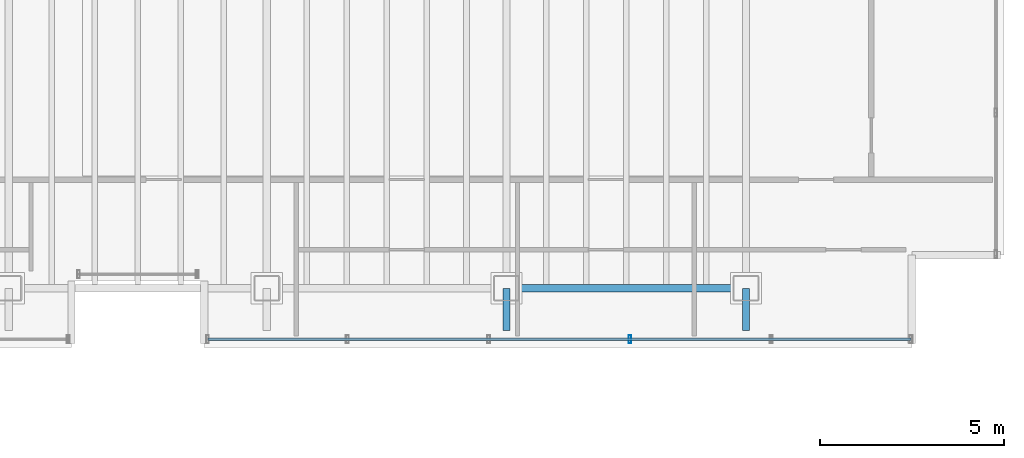
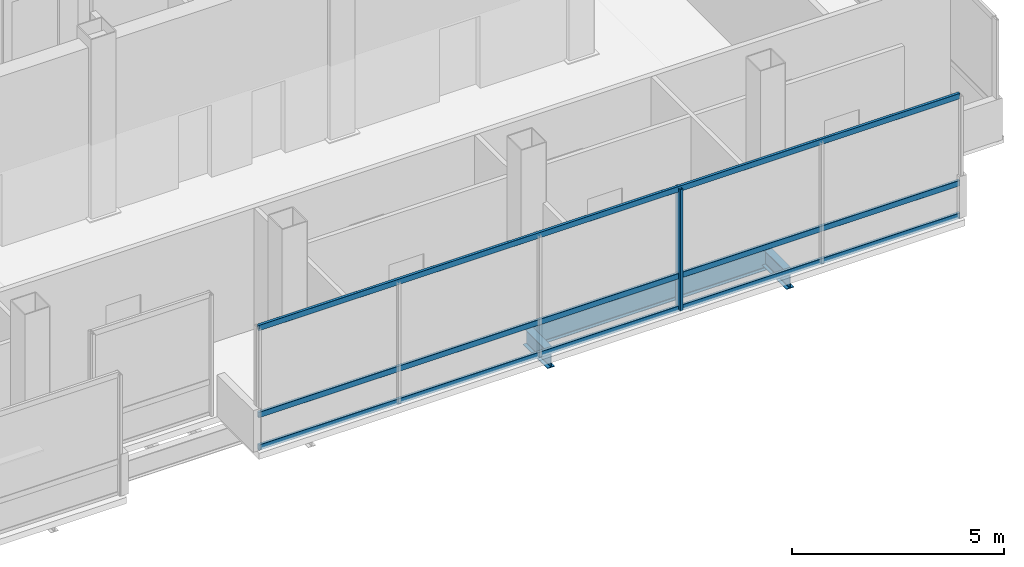
# One storey, part 7 of 17: 4 members, 3 beams, 1 element without a shape of its own.
"""IFC4 building model written with IfcOpenShell, lengths in metres."""

import ifcopenshell
import ifcopenshell.guid

model = None  # the IFC model being written
_history = None  # IfcOwnerHistory: only IFC2X3 demands one
_inside = {}  # id of a spatial element -> (the spatial element, [elements in it])
_under = {}  # id of a project, library or spatial element -> (it, [spatial elements below it])
_declared = {}  # id of a project -> (the project, [libraries it declares])
_typed = {}  # id of a type object -> (the type object, [elements of that type])
_made_of = {}  # id of a material, layer set ... -> (it, [elements and type objects made of it])


def new_model(schema):
    """Start an empty IFC model of exactly this schema.

    Asked for "IFC4X3", IfcOpenShell would pick the latest addendum, in which some entities
    have other attributes; the version numbers below select the first issue.
    IFC2X3 requires an IfcOwnerHistory on every rooted entity: one is made here for all.
    """
    global model, _history
    if schema == "IFC4X3":
        model = ifcopenshell.file(schema_version=(4, 3, 0, 0))
    else:
        model = ifcopenshell.file(schema=schema)
    _inside.clear()
    _under.clear()
    _declared.clear()
    _typed.clear()
    _made_of.clear()
    _history = None
    if model.schema == "IFC2X3":
        org = make("IfcOrganization", Name="unknown")
        user = make(
            "IfcPersonAndOrganization",
            ThePerson=make("IfcPerson", FamilyName="unknown"),
            TheOrganization=org,
        )
        app = make(
            "IfcApplication",
            ApplicationDeveloper=org,
            Version="unknown",
            ApplicationFullName="unknown",
            ApplicationIdentifier="unknown",
        )
        _history = make(
            "IfcOwnerHistory",
            OwningUser=user,
            OwningApplication=app,
            ChangeAction="ADDED",
            CreationDate=0,
        )
    return model


def make(cls, **values):
    """One entity of the class cls with the attributes given. An attribute that is None is left unset."""
    return model.create_entity(
        cls, **{name: value for name, value in values.items() if value is not None}
    )


def rooted(cls, **values):
    """An entity with a GlobalId (a new one), such as an element, a storey or a relation."""
    return make(cls, GlobalId=ifcopenshell.guid.new(), OwnerHistory=_history, **values)


def si_unit(unit_type, name, prefix=None):
    """IfcSIUnit, for example si_unit("LENGTHUNIT", "METRE", prefix="MILLI")."""
    return make("IfcSIUnit", UnitType=unit_type, Prefix=prefix, Name=name)


def assignment(units):
    """IfcUnitAssignment: the units of a project."""
    return None if units is None else make("IfcUnitAssignment", Units=units)


def point(xyz):
    """IfcCartesianPoint."""
    return None if xyz is None else make("IfcCartesianPoint", Coordinates=xyz)


def direction(xyz):
    """IfcDirection."""
    return None if xyz is None else make("IfcDirection", DirectionRatios=xyz)


def frame(location, z_axis=None, x_axis=None):
    """IfcAxis2Placement3D, a coordinate frame: its origin and axes. An axis left out is left unset."""
    return make(
        "IfcAxis2Placement3D",
        Location=point(location),
        Axis=direction(z_axis),
        RefDirection=direction(x_axis),
    )


def frame_2d(location, x_axis=None):
    """IfcAxis2Placement2D, a coordinate frame in the plane: its origin and x axis."""
    return make(
        "IfcAxis2Placement2D", Location=point(location), RefDirection=direction(x_axis)
    )


def origin():
    """The frame at (0, 0, 0) with its axes left unset."""
    return frame((0.0, 0.0, 0.0))


def origin_2d():
    """The frame at (0, 0) in the plane with its x axis left unset."""
    return frame_2d((0.0, 0.0))


def place(relative_to, where):
    """IfcLocalPlacement: puts the frame where relative to a parent placement (None: the world)."""
    return make(
        "IfcLocalPlacement", PlacementRelTo=relative_to, RelativePlacement=where
    )


def context(
    kind, dimensions, precision=None, world=None, true_north=None, identifier=None
):
    """IfcGeometricRepresentationContext, for example the 3D "Model" context."""
    return make(
        "IfcGeometricRepresentationContext",
        ContextIdentifier=identifier,
        ContextType=kind,
        CoordinateSpaceDimension=dimensions,
        Precision=precision,
        WorldCoordinateSystem=world,
        TrueNorth=true_north,
    )


def subcontext(parent, identifier, kind, view, scale=None):
    """IfcGeometricRepresentationSubContext, for example "Body" below "Model"."""
    return make(
        "IfcGeometricRepresentationSubContext",
        ContextIdentifier=identifier,
        ContextType=kind,
        ParentContext=parent,
        TargetScale=scale,
        TargetView=view,
    )


def project(units=None, contexts=None):
    """IfcProject with its units and contexts."""
    return rooted(
        "IfcProject",
        Name="project",
        RepresentationContexts=contexts,
        UnitsInContext=assignment(units),
    )


def spatial(cls, under=None, at=None, **own):
    """A site, building, storey or space (cls), placed at a placement, below another one or the project."""
    s = rooted(cls, ObjectPlacement=at, **own)
    if under is not None:
        _under.setdefault(under.id(), (under, []))[1].append(s)
    return s


def profile(cls, at=None, kind="AREA", **sizes):
    """A parametric profile (cls). Its sizes go by their IFC names, for example OverallWidth=200.0."""
    return make(cls, ProfileType=kind, Position=at, **sizes)


def hollow_rectangle(**sizes):
    """IfcRectangleHollowProfileDef."""
    return profile("IfcRectangleHollowProfileDef", **sizes)


def i_section(**sizes):
    """IfcIShapeProfileDef."""
    return profile("IfcIShapeProfileDef", **sizes)


def extrude(swept, where, along, depth):
    """IfcExtrudedAreaSolid: the profile swept, set in the frame where, extruded along a direction by depth."""
    return make(
        "IfcExtrudedAreaSolid",
        SweptArea=swept,
        Position=where,
        ExtrudedDirection=direction(along),
        Depth=depth,
    )


def shape(context_of_items, identifier, shape_type, items):
    """IfcShapeRepresentation: the items that make up one representation, for example the "Body"."""
    return make(
        "IfcShapeRepresentation",
        ContextOfItems=context_of_items,
        RepresentationIdentifier=identifier,
        RepresentationType=shape_type,
        Items=items,
    )


def material(Name=None, Category=None):
    """IfcMaterial."""
    return make("IfcMaterial", Name=Name, Category=Category)


def material_profile(
    of_material, cross_section, Name=None, Category=None, Priority=None
):
    """IfcMaterialProfile: a cross section and its material."""
    return make(
        "IfcMaterialProfile",
        Name=Name,
        Material=of_material,
        Profile=cross_section,
        Priority=Priority,
        Category=Category,
    )


def profile_set(profiles, Name=None, composite=None):
    """IfcMaterialProfileSet."""
    return make(
        "IfcMaterialProfileSet",
        Name=Name,
        MaterialProfiles=profiles,
        CompositeProfile=composite,
    )


def made_of(thing, what):
    """Note that an element or type object is made of a material, layer set ...; save() writes the relation."""
    if what is not None:
        _made_of.setdefault(what.id(), (what, []))[1].append(thing)
    return thing


def type_object(cls, material=None, **own):
    """A type object (cls), such as IfcWallType, which elements share."""
    return made_of(rooted(cls, **own), material)


def element(
    cls,
    number,
    at=None,
    inside=None,
    cuts=None,
    type_object=None,
    material=None,
    context=None,
    identifier="Body",
    shape_type=None,
    held_by="IfcProductDefinitionShape",
    body=None,
    shapes=None,
    **own,
):
    """One element of the class cls, such as IfcWall. Its Tag is "e" and its number.

    at: its placement. inside: the storey or other place that contains it. cuts: it is an
    opening in that element (IfcRelVoidsElement). A single representation is given by context,
    identifier, shape_type and body (its items); several are given by shapes. held_by: the class
    of the entity that holds the representations. save() writes the other relations.
    """
    e = rooted(cls, Tag="e%d" % number, ObjectPlacement=at, **own)
    if body is not None:
        shapes = [shape(context, identifier, shape_type, body)]
    if shapes is not None:
        e.Representation = make(held_by, Representations=shapes)
    if inside is not None:
        _inside.setdefault(inside.id(), (inside, []))[1].append(e)
    if cuts is not None:
        rooted(
            "IfcRelVoidsElement", RelatingBuildingElement=cuts, RelatedOpeningElement=e
        )
    if type_object is not None:
        _typed.setdefault(type_object.id(), (type_object, []))[1].append(e)
    return made_of(e, material)


def aggregate(whole, parts):
    """IfcRelAggregates: a whole, such as a stair, and the parts it consists of."""
    return rooted("IfcRelAggregates", RelatingObject=whole, RelatedObjects=parts)


def save(model, path):
    """Write the relations noted so far, then the file.

    IfcRelAggregates (storeys below a building ...), IfcRelContainedInSpatialStructure (elements
    in a storey), IfcRelDefinesByType, IfcRelAssociatesMaterial and IfcRelDeclares: one each for
    every whole, place, type object, material and project.
    """
    for whole, parts in _under.values():
        aggregate(whole, parts)
    for where, things in _inside.values():
        rooted(
            "IfcRelContainedInSpatialStructure",
            RelatedElements=things,
            RelatingStructure=where,
        )
    for kind, things in _typed.values():
        rooted("IfcRelDefinesByType", RelatedObjects=things, RelatingType=kind)
    for what, things in _made_of.values():
        rooted("IfcRelAssociatesMaterial", RelatedObjects=things, RelatingMaterial=what)
    for by, libraries in _declared.values():
        rooted("IfcRelDeclares", RelatingContext=by, RelatedDefinitions=libraries)
    model.write(path)


model = new_model("IFC4")

# Units and contexts
model_context = context("Model", 3, precision=1e-05, world=origin(), true_north=direction((0.0, 1.0)))
body_context = subcontext(model_context, "Body", "Model", "MODEL_VIEW")
ifc_project = project(units=[si_unit("LENGTHUNIT", "METRE"), si_unit("AREAUNIT", "SQUARE_METRE"), si_unit("VOLUMEUNIT", "CUBIC_METRE"), si_unit("PLANEANGLEUNIT", "RADIAN"), si_unit("MASSUNIT", "GRAM", prefix="KILO")], contexts=[model_context])

# Site, building, storey
site_placement = place(None, origin())
site = spatial("IfcSite", under=ifc_project, at=site_placement, CompositionType="ELEMENT")
building_placement = place(site_placement, origin())
building = spatial("IfcBuilding", under=site, at=building_placement, Name="Noeulbin Bourse Tower", CompositionType="ELEMENT")
storey_placement = place(building_placement, frame((0.0, 0.0, 300.800048828125)))
storey = spatial("IfcBuildingStorey", under=building, at=storey_placement, Name="L75", CompositionType="ELEMENT", Elevation=300.800048828125)

# Beams
ifc_material_1 = material(Name="Steel S355", Category="steel")
ifc_material_profile_1 = material_profile(ifc_material_1, i_section(OverallWidth=0.199951171875, OverallDepth=0.5, WebThickness=0.010009765625, FlangeThickness=0.01611328125, FilletRadius=0.02001953125, at=origin_2d()), Name="H-500x200x10x16", Category="LoadBearing")
ifc_profile_set_1 = profile_set([ifc_material_profile_1], Name="Steel S355")
beam_type_1 = type_object("IfcBeamType", Name="BM-GRD-500", PredefinedType="USERDEFINED", material=ifc_profile_set_1)
for number, where, z_axis, x_axis, name in (
    (1, (37.5, 18.85009765625, -0.429931640625), (0.0, 1.0, 0.0), (-1.0, 0.0, 0.0), "Tower Primary Girder NS L75-4.1"),
    (2, (44.0, 18.85009765625, -0.429931640625), (0.0, 1.0, 0.0), (-1.0, 0.0, 0.0), "Tower Primary Girder NS L75-5.1"),
):
    element("IfcBeam", number, at=place(storey_placement, frame(where, z_axis=z_axis, x_axis=x_axis)), inside=storey, type_object=beam_type_1, Name=name, ObjectType="GIRDER", PredefinedType="USERDEFINED", context=body_context, shape_type="SweptSolid", body=[
        extrude(i_section(OverallWidth=0.199951171875, OverallDepth=0.5, WebThickness=0.010009765625, FlangeThickness=0.01611328125, FilletRadius=0.02001953125, at=origin_2d()), origin(), (0.0, 0.0, 1.0), 1.14990234375),
    ])
ifc_material_profile_2 = material_profile(ifc_material_1, i_section(OverallWidth=0.199951171875, OverallDepth=0.60009765625, WebThickness=0.010986328125, FlangeThickness=0.01708984375, FilletRadius=0.02197265625, at=origin_2d()), Name="H-600x200x11x17", Category="LoadBearing")
ifc_profile_set_2 = profile_set([ifc_material_profile_2], Name="Steel S355")
beam_type_2 = type_object("IfcBeamType", Name="BM-GRD-600", PredefinedType="USERDEFINED", material=ifc_profile_set_2)
beam_placement = place(storey_placement, frame((37.5, 20.0, -0.47998046875), z_axis=(1.0, 0.0, 0.0), x_axis=(0.0, 1.0, 0.0)))
element("IfcBeam", 3, at=beam_placement, inside=storey, type_object=beam_type_2, Name="Tower Primary Girder EW L75-1.3", ObjectType="GIRDER", PredefinedType="USERDEFINED", context=body_context, shape_type="SweptSolid", body=[
    extrude(i_section(OverallWidth=0.199951171875, OverallDepth=0.60009765625, WebThickness=0.010986328125, FlangeThickness=0.01708984375, FilletRadius=0.02197265625, at=origin_2d()), origin(), (0.0, 0.0, 1.0), 6.5),
])

# Curtain wall, members
ifc_material_2 = material(Name="High-Selectivity Low-Iron Glazing", Category="glass")
curtain_wall_type = type_object("IfcCurtainWallType", Name="CW-SYS-4", PredefinedType="NOTDEFINED", material=ifc_material_2)
curtain_wall_placement = place(storey_placement, origin())
curtain_wall = element("IfcCurtainWall", 4, at=curtain_wall_placement, inside=storey, type_object=curtain_wall_type, Name="Unitised Curtain Wall CW-L75-S2", PredefinedType="NOTDEFINED")
ifc_material_3 = material(Name="Anodised Aluminium 6063-T6", Category="aluminium")
ifc_material_profile_3 = material_profile(ifc_material_3, hollow_rectangle(XDim=0.074951171875, YDim=0.219970703125, WallThickness=0.0048828125, InnerFilletRadius=0.00244140625, OuterFilletRadius=0.0048828125, at=origin_2d()), Name="ALU-MULL-75x220x5", Category="LoadBearing")
ifc_profile_set_3 = profile_set([ifc_material_profile_3], Name="Anodised Aluminium 6063-T6")
member_type_1 = type_object("IfcMemberType", Name="CW-SYS-4-MUL", PredefinedType="MULLION", material=ifc_profile_set_3)
member_1_placement = place(storey_placement, frame((40.85205078125, 18.6201171875, -0.02001953125), z_axis=(0.0, 0.0, 1.0), x_axis=(1.0, 0.0, 0.0)))
member_1 = element("IfcMember", 5, at=member_1_placement, type_object=member_type_1, Name="Curtain Wall Mullion CW-L75-S2-M03", PredefinedType="MULLION", context=body_context, shape_type="SweptSolid", body=[
    extrude(hollow_rectangle(XDim=0.074951171875, YDim=0.219970703125, WallThickness=0.0048828125, InnerFilletRadius=0.00244140625, OuterFilletRadius=0.0048828125, at=origin_2d()), origin(), (0.0, 0.0, 1.0), 3.5),
])
ifc_material_profile_4 = material_profile(ifc_material_3, hollow_rectangle(XDim=0.074951171875, YDim=0.159912109375, WallThickness=0.0048828125, InnerFilletRadius=0.00244140625, OuterFilletRadius=0.0048828125, at=origin_2d()), Name="ALU-TRAN-75x160x5", Category="LoadBearing")
ifc_profile_set_4 = profile_set([ifc_material_profile_4], Name="Anodised Aluminium 6063-T6")
member_type_2 = type_object("IfcMemberType", Name="CW-SYS-4-TRN", PredefinedType="USERDEFINED", material=ifc_profile_set_4)
member_2_placement = place(storey_placement, frame((29.39990234375, 18.6201171875, 0.010009765625), z_axis=(1.0, 0.0, 0.0), x_axis=(0.0, 1.0, 0.0)))
member_2 = element("IfcMember", 6, at=member_2_placement, type_object=member_type_2, Name="Curtain Wall Transom CW-L75-S2-T00", ObjectType="TRANSOM", PredefinedType="USERDEFINED", context=body_context, shape_type="SweptSolid", body=[
    extrude(hollow_rectangle(XDim=0.074951171875, YDim=0.159912109375, WallThickness=0.0048828125, InnerFilletRadius=0.00244140625, OuterFilletRadius=0.0048828125, at=origin_2d()), origin(), (0.0, 0.0, 1.0), 19.070068359375),
])
member_3_placement = place(storey_placement, frame((29.39990234375, 18.6201171875, 0.949951171875), z_axis=(1.0, 0.0, 0.0), x_axis=(0.0, 1.0, 0.0)))
member_3 = element("IfcMember", 7, at=member_3_placement, type_object=member_type_2, Name="Curtain Wall Transom CW-L75-S2-T01", ObjectType="TRANSOM", PredefinedType="USERDEFINED", context=body_context, shape_type="SweptSolid", body=[
    extrude(hollow_rectangle(XDim=0.074951171875, YDim=0.159912109375, WallThickness=0.0048828125, InnerFilletRadius=0.00244140625, OuterFilletRadius=0.0048828125, at=origin_2d()), origin(), (0.0, 0.0, 1.0), 19.070068359375),
])
member_4_placement = place(storey_placement, frame((29.39990234375, 18.6201171875, 3.449951171875), z_axis=(1.0, 0.0, 0.0), x_axis=(0.0, 1.0, 0.0)))
member_4 = element("IfcMember", 8, at=member_4_placement, type_object=member_type_2, Name="Curtain Wall Transom CW-L75-S2-T02", ObjectType="TRANSOM", PredefinedType="USERDEFINED", context=body_context, shape_type="SweptSolid", body=[
    extrude(hollow_rectangle(XDim=0.074951171875, YDim=0.159912109375, WallThickness=0.0048828125, InnerFilletRadius=0.00244140625, OuterFilletRadius=0.0048828125, at=origin_2d()), origin(), (0.0, 0.0, 1.0), 19.070068359375),
])
aggregate(curtain_wall, [member_1, member_2, member_3, member_4])

save(model, "model.ifc")
